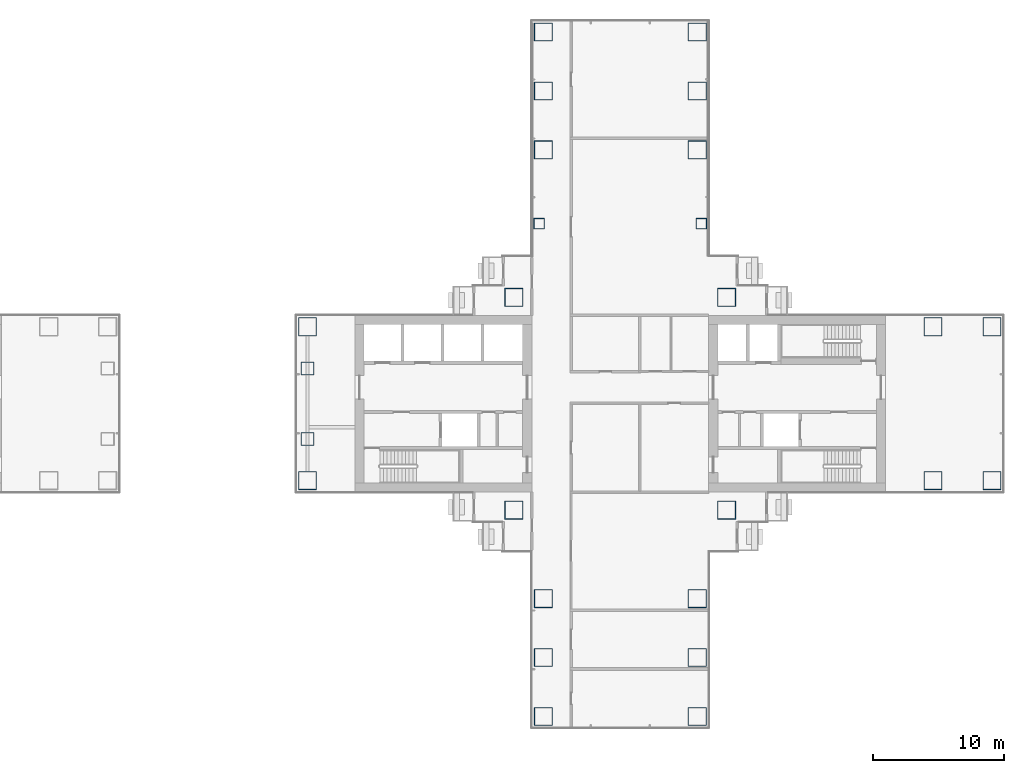
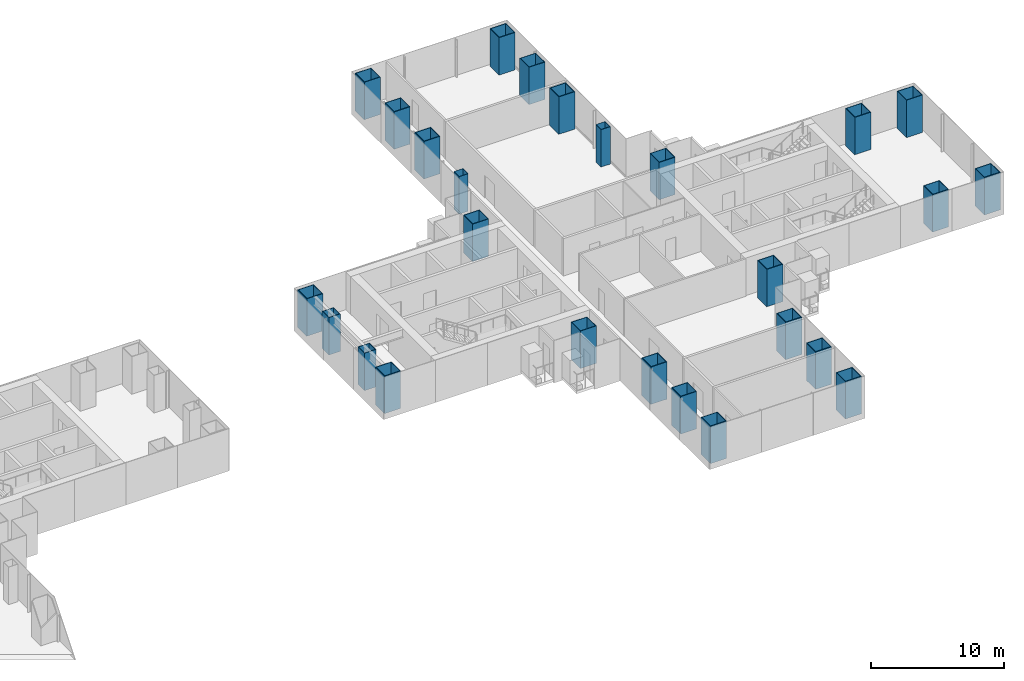
# One storey, part 2 of 22: 26 columns.
"""IFC4 building model written with IfcOpenShell, lengths in metres."""

from ifc_helpers import new_model, si_unit, direction, frame, origin, origin_2d, place, context, subcontext, project, spatial, hollow_rectangle, extrude, material, material_profile, profile_set, type_object, element, save


model = new_model("IFC4")

# Units and contexts
model_context = context("Model", 3, precision=1e-05, world=origin(), true_north=direction((0.0, 1.0)))
body_context = subcontext(model_context, "Body", "Model", "MODEL_VIEW")
ifc_project = project(units=[si_unit("LENGTHUNIT", "METRE"), si_unit("AREAUNIT", "SQUARE_METRE"), si_unit("VOLUMEUNIT", "CUBIC_METRE"), si_unit("PLANEANGLEUNIT", "RADIAN"), si_unit("MASSUNIT", "GRAM", prefix="KILO")], contexts=[model_context])

# Site, building, storey
site_placement = place(None, origin())
site = spatial("IfcSite", under=ifc_project, at=site_placement, CompositionType="ELEMENT")
building_placement = place(site_placement, origin())
building = spatial("IfcBuilding", under=site, at=building_placement, Name="Shamsa Quay Exchange Towers", CompositionType="ELEMENT")
storey_placement = place(building_placement, frame((0.0, 0.0, 73.199951171875)))
storey = spatial("IfcBuildingStorey", under=building, at=storey_placement, Name="L16", CompositionType="ELEMENT", Elevation=73.199951171875)

# Columns
ifc_material_1 = material(Name="Concrete-filled steel tube S355 / C80/95", Category="concrete")
ifc_material_profile_1 = material_profile(ifc_material_1, hollow_rectangle(XDim=1.39990234375, YDim=1.39990234375, WallThickness=0.050048828125, at=origin_2d()), Name="CFT 1400x1400x50")
ifc_profile_set_1 = profile_set([ifc_material_profile_1], Name="Concrete-filled steel tube S355 / C80/95")
column_type_1 = type_object("IfcColumnType", Name="Column CFT 1400x1400x50", PredefinedType="COLUMN", material=ifc_profile_set_1)
for number, where, name in (
    (1, (25.625, 8.125, 0.0), "Mega column T2-CM01"),
    (2, (41.875, 8.125, 0.0), "Mega column T2-CM02"),
    (3, (25.625, -8.125, 0.0), "Mega column T2-CM03"),
    (4, (41.875, -8.125, 0.0), "Mega column T2-CM04"),
    (5, (39.625, 19.375, 0.0), "Mega column T2-CM06"),
    (6, (39.625, 23.875, 0.0), "Mega column T2-CM07"),
    (7, (39.625, 28.375, 0.0), "Mega column T2-CM08"),
    (8, (27.875, 19.375, 0.0), "Mega column T2-CM10"),
    (9, (27.875, 23.875, 0.0), "Mega column T2-CM11"),
    (10, (27.875, 28.375, 0.0), "Mega column T2-CM12"),
    (11, (39.625, -14.875, 0.0), "Mega column T2-CM13"),
    (12, (39.625, -19.375, 0.0), "Mega column T2-CM14"),
    (13, (39.625, -23.875, 0.0), "Mega column T2-CM15"),
    (14, (27.875, -14.875, 0.0), "Mega column T2-CM16"),
    (15, (27.875, -19.375, 0.0), "Mega column T2-CM17"),
    (16, (27.875, -23.875, 0.0), "Mega column T2-CM18"),
    (17, (9.875, -5.875, 0.0), "Mega column T2-CM19"),
    (18, (9.875, 5.875, 0.0), "Mega column T2-CM20"),
    (19, (57.625, -5.875, 0.0), "Mega column T2-CM21"),
    (20, (62.125, -5.875, 0.0), "Mega column T2-CM22"),
    (21, (57.625, 5.875, 0.0), "Mega column T2-CM23"),
    (22, (62.125, 5.875, 0.0), "Mega column T2-CM24"),
):
    element("IfcColumn", number, at=place(storey_placement, frame(where)), inside=storey, type_object=column_type_1, Name=name, PredefinedType="COLUMN", context=body_context, shape_type="SweptSolid", body=[
        extrude(hollow_rectangle(XDim=1.39990234375, YDim=1.39990234375, WallThickness=0.050048828125, at=origin_2d()), origin(), (0.0, 0.0, 1.0), 3.449951171875),
    ])
ifc_material_2 = material(Name="Concrete-filled steel tube S355 / C60/75", Category="concrete")
ifc_material_profile_2 = material_profile(ifc_material_2, hollow_rectangle(XDim=0.800048828125, YDim=0.800048828125, WallThickness=0.02490234375, at=origin_2d()), Name="CFT 800x800x25")
ifc_profile_set_2 = profile_set([ifc_material_profile_2], Name="Concrete-filled steel tube S355 / C60/75")
column_type_2 = type_object("IfcColumnType", Name="Column CFT 800x800x25", PredefinedType="COLUMN", material=ifc_profile_set_2)
for number, where, name in (
    (23, (39.9375, 13.75, 0.0), "Perimeter column T2-CP05"),
    (24, (27.5625, 13.75, 0.0), "Perimeter column T2-CP09"),
):
    element("IfcColumn", number, at=place(storey_placement, frame(where)), inside=storey, type_object=column_type_2, Name=name, PredefinedType="COLUMN", context=body_context, shape_type="SweptSolid", body=[
        extrude(hollow_rectangle(XDim=0.800048828125, YDim=0.800048828125, WallThickness=0.02490234375, at=origin_2d()), origin(), (0.0, 0.0, 1.0), 3.449951171875),
    ])
ifc_material_3 = material(Name="Concrete-filled steel tube S355 / C70/85", Category="concrete")
ifc_material_profile_3 = material_profile(ifc_material_3, hollow_rectangle(XDim=1.0, YDim=1.0, WallThickness=0.0400390625, at=origin_2d()), Name="CFT 1000x1000x40")
ifc_profile_set_3 = profile_set([ifc_material_profile_3], Name="Concrete-filled steel tube S355 / C70/85")
column_type_3 = type_object("IfcColumnType", Name="Landing column CFT 1000x1000x40", PredefinedType="COLUMN", material=ifc_profile_set_3)
for number, where, name in (
    (25, (9.875, -2.699951171875, 0.0), "Landing column T2 S"),
    (26, (9.875, 2.699951171875, 0.0), "Landing column T2 N"),
):
    element("IfcColumn", number, at=place(storey_placement, frame(where)), inside=storey, type_object=column_type_3, Name=name, PredefinedType="COLUMN", context=body_context, shape_type="SweptSolid", body=[
        extrude(hollow_rectangle(XDim=1.0, YDim=1.0, WallThickness=0.0400390625, at=origin_2d()), origin(), (0.0, 0.0, 1.0), 3.449951171875),
    ])

save(model, "model.ifc")
